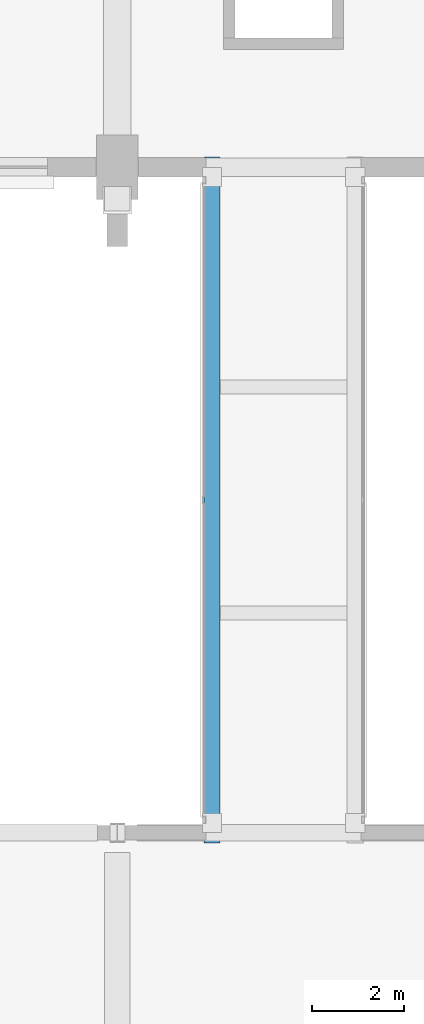
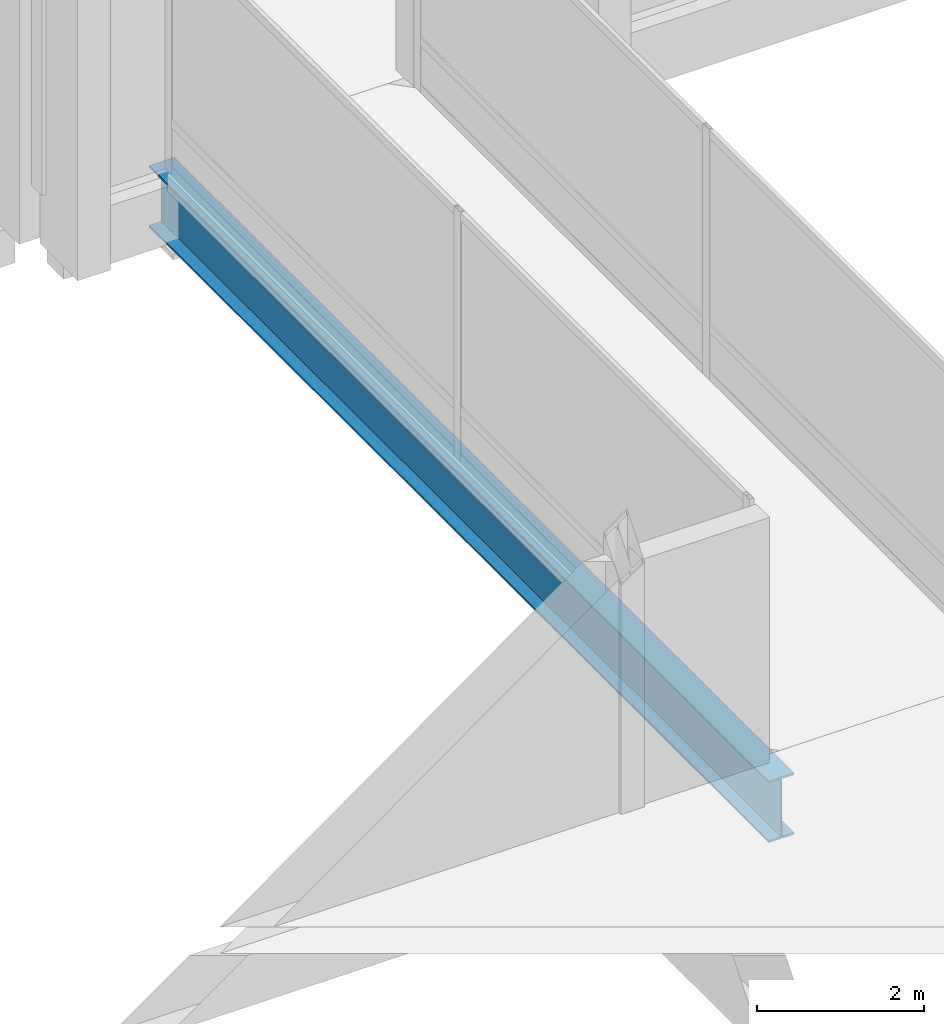
# One storey, part 26 of 220: 1 beam.
"""IFC4 building model written with IfcOpenShell, lengths in metres."""

from ifc_helpers import new_model, si_unit, direction, frame, origin, origin_2d, place, context, subcontext, project, spatial, i_section, extrude, material, material_profile, profile_set, type_object, element, save


model = new_model("IFC4")

# Units and contexts
model_context = context("Model", 3, precision=1e-05, world=origin(), true_north=direction((0.0, 1.0)))
body_context = subcontext(model_context, "Body", "Model", "MODEL_VIEW")
ifc_project = project(units=[si_unit("LENGTHUNIT", "METRE"), si_unit("AREAUNIT", "SQUARE_METRE"), si_unit("VOLUMEUNIT", "CUBIC_METRE"), si_unit("PLANEANGLEUNIT", "RADIAN"), si_unit("MASSUNIT", "GRAM", prefix="KILO")], contexts=[model_context])

# Site, building, storey
site_placement = place(None, origin())
site = spatial("IfcSite", under=ifc_project, at=site_placement, CompositionType="ELEMENT")
building_placement = place(site_placement, origin())
building = spatial("IfcBuilding", under=site, at=building_placement, Name="Cendralis Lancet Convention Centre", CompositionType="ELEMENT")
storey_placement = place(building_placement, frame((0.0, 0.0, 5.39990234375)))
storey = spatial("IfcBuildingStorey", under=building, at=storey_placement, Name="L01", CompositionType="ELEMENT", Elevation=5.39990234375)

# Beam
ifc_material = material(Name="Steel S355", Category="steel")
ifc_material_profile = material_profile(ifc_material, i_section(OverallWidth=0.35009765625, OverallDepth=0.89990234375, WebThickness=0.01611328125, FlangeThickness=0.028076171875, at=origin_2d()), Name="PG 900x350")
ifc_profile_set = profile_set([ifc_material_profile], Name="Steel S355")
beam_type = type_object("IfcBeamType", Name="STR-BM-SG05", PredefinedType="BEAM", material=ifc_profile_set)
beam_placement = place(storey_placement, frame((16.449951171875, 35.780029296875, -0.669921875), z_axis=(0.0, 1.0, 0.0), x_axis=(-1.0, 0.0, 0.0)))
element("IfcBeam", 1, at=beam_placement, inside=storey, type_object=beam_type, Name="L01 Beam SG05 #1920", PredefinedType="BEAM", context=body_context, shape_type="SweptSolid", body=[
    extrude(i_section(OverallWidth=0.35009765625, OverallDepth=0.89990234375, WebThickness=0.01611328125, FlangeThickness=0.028076171875, at=origin_2d()), origin(), (0.0, 0.0, 1.0), 14.840087890625),
])

save(model, "model.ifc")
